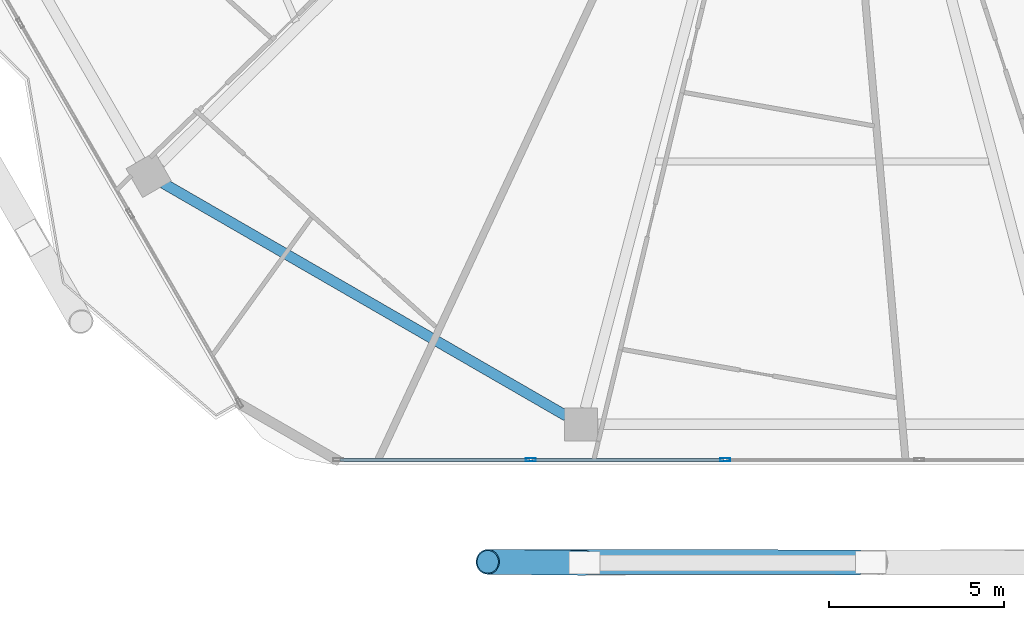
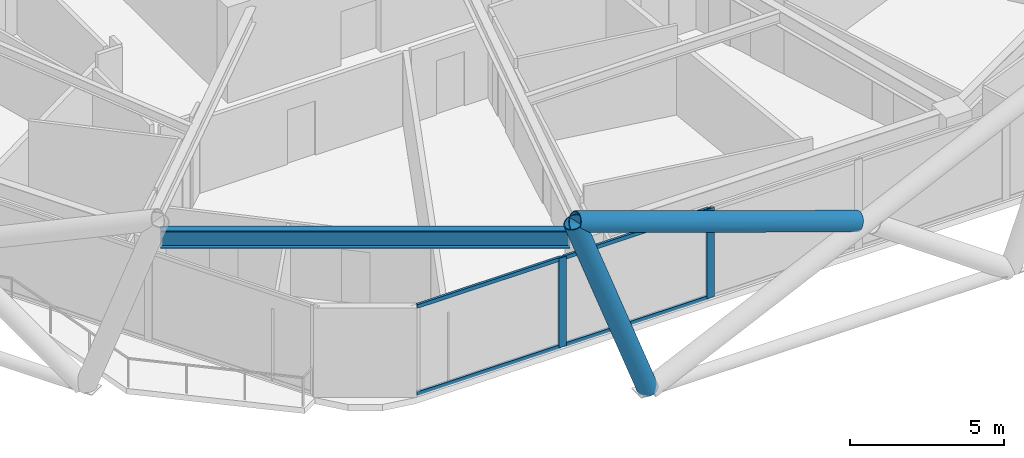
# One storey, part 3 of 27: 8 members, 1 beam, 1 element without a shape of its own.
"""IFC4 building model written with IfcOpenShell, lengths in metres."""

import ifcopenshell
import ifcopenshell.guid

model = None  # the IFC model being written
_history = None  # IfcOwnerHistory: only IFC2X3 demands one
_inside = {}  # id of a spatial element -> (the spatial element, [elements in it])
_under = {}  # id of a project, library or spatial element -> (it, [spatial elements below it])
_declared = {}  # id of a project -> (the project, [libraries it declares])
_typed = {}  # id of a type object -> (the type object, [elements of that type])
_made_of = {}  # id of a material, layer set ... -> (it, [elements and type objects made of it])


def new_model(schema):
    """Start an empty IFC model of exactly this schema.

    Asked for "IFC4X3", IfcOpenShell would pick the latest addendum, in which some entities
    have other attributes; the version numbers below select the first issue.
    IFC2X3 requires an IfcOwnerHistory on every rooted entity: one is made here for all.
    """
    global model, _history
    if schema == "IFC4X3":
        model = ifcopenshell.file(schema_version=(4, 3, 0, 0))
    else:
        model = ifcopenshell.file(schema=schema)
    _inside.clear()
    _under.clear()
    _declared.clear()
    _typed.clear()
    _made_of.clear()
    _history = None
    if model.schema == "IFC2X3":
        org = make("IfcOrganization", Name="unknown")
        user = make(
            "IfcPersonAndOrganization",
            ThePerson=make("IfcPerson", FamilyName="unknown"),
            TheOrganization=org,
        )
        app = make(
            "IfcApplication",
            ApplicationDeveloper=org,
            Version="unknown",
            ApplicationFullName="unknown",
            ApplicationIdentifier="unknown",
        )
        _history = make(
            "IfcOwnerHistory",
            OwningUser=user,
            OwningApplication=app,
            ChangeAction="ADDED",
            CreationDate=0,
        )
    return model


def make(cls, **values):
    """One entity of the class cls with the attributes given. An attribute that is None is left unset."""
    return model.create_entity(
        cls, **{name: value for name, value in values.items() if value is not None}
    )


def rooted(cls, **values):
    """An entity with a GlobalId (a new one), such as an element, a storey or a relation."""
    return make(cls, GlobalId=ifcopenshell.guid.new(), OwnerHistory=_history, **values)


def si_unit(unit_type, name, prefix=None):
    """IfcSIUnit, for example si_unit("LENGTHUNIT", "METRE", prefix="MILLI")."""
    return make("IfcSIUnit", UnitType=unit_type, Prefix=prefix, Name=name)


def assignment(units):
    """IfcUnitAssignment: the units of a project."""
    return None if units is None else make("IfcUnitAssignment", Units=units)


def point(xyz):
    """IfcCartesianPoint."""
    return None if xyz is None else make("IfcCartesianPoint", Coordinates=xyz)


def direction(xyz):
    """IfcDirection."""
    return None if xyz is None else make("IfcDirection", DirectionRatios=xyz)


def frame(location, z_axis=None, x_axis=None):
    """IfcAxis2Placement3D, a coordinate frame: its origin and axes. An axis left out is left unset."""
    return make(
        "IfcAxis2Placement3D",
        Location=point(location),
        Axis=direction(z_axis),
        RefDirection=direction(x_axis),
    )


def frame_2d(location, x_axis=None):
    """IfcAxis2Placement2D, a coordinate frame in the plane: its origin and x axis."""
    return make(
        "IfcAxis2Placement2D", Location=point(location), RefDirection=direction(x_axis)
    )


def origin():
    """The frame at (0, 0, 0) with its axes left unset."""
    return frame((0.0, 0.0, 0.0))


def origin_2d():
    """The frame at (0, 0) in the plane with its x axis left unset."""
    return frame_2d((0.0, 0.0))


def place(relative_to, where):
    """IfcLocalPlacement: puts the frame where relative to a parent placement (None: the world)."""
    return make(
        "IfcLocalPlacement", PlacementRelTo=relative_to, RelativePlacement=where
    )


def context(
    kind, dimensions, precision=None, world=None, true_north=None, identifier=None
):
    """IfcGeometricRepresentationContext, for example the 3D "Model" context."""
    return make(
        "IfcGeometricRepresentationContext",
        ContextIdentifier=identifier,
        ContextType=kind,
        CoordinateSpaceDimension=dimensions,
        Precision=precision,
        WorldCoordinateSystem=world,
        TrueNorth=true_north,
    )


def subcontext(parent, identifier, kind, view, scale=None):
    """IfcGeometricRepresentationSubContext, for example "Body" below "Model"."""
    return make(
        "IfcGeometricRepresentationSubContext",
        ContextIdentifier=identifier,
        ContextType=kind,
        ParentContext=parent,
        TargetScale=scale,
        TargetView=view,
    )


def project(units=None, contexts=None):
    """IfcProject with its units and contexts."""
    return rooted(
        "IfcProject",
        Name="project",
        RepresentationContexts=contexts,
        UnitsInContext=assignment(units),
    )


def spatial(cls, under=None, at=None, **own):
    """A site, building, storey or space (cls), placed at a placement, below another one or the project."""
    s = rooted(cls, ObjectPlacement=at, **own)
    if under is not None:
        _under.setdefault(under.id(), (under, []))[1].append(s)
    return s


def profile(cls, at=None, kind="AREA", **sizes):
    """A parametric profile (cls). Its sizes go by their IFC names, for example OverallWidth=200.0."""
    return make(cls, ProfileType=kind, Position=at, **sizes)


def hollow_rectangle(**sizes):
    """IfcRectangleHollowProfileDef."""
    return profile("IfcRectangleHollowProfileDef", **sizes)


def hollow_circle(**sizes):
    """IfcCircleHollowProfileDef."""
    return profile("IfcCircleHollowProfileDef", **sizes)


def i_section(**sizes):
    """IfcIShapeProfileDef."""
    return profile("IfcIShapeProfileDef", **sizes)


def extrude(swept, where, along, depth):
    """IfcExtrudedAreaSolid: the profile swept, set in the frame where, extruded along a direction by depth."""
    return make(
        "IfcExtrudedAreaSolid",
        SweptArea=swept,
        Position=where,
        ExtrudedDirection=direction(along),
        Depth=depth,
    )


def shape(context_of_items, identifier, shape_type, items):
    """IfcShapeRepresentation: the items that make up one representation, for example the "Body"."""
    return make(
        "IfcShapeRepresentation",
        ContextOfItems=context_of_items,
        RepresentationIdentifier=identifier,
        RepresentationType=shape_type,
        Items=items,
    )


def material(Name=None, Category=None):
    """IfcMaterial."""
    return make("IfcMaterial", Name=Name, Category=Category)


def material_profile(
    of_material, cross_section, Name=None, Category=None, Priority=None
):
    """IfcMaterialProfile: a cross section and its material."""
    return make(
        "IfcMaterialProfile",
        Name=Name,
        Material=of_material,
        Profile=cross_section,
        Priority=Priority,
        Category=Category,
    )


def profile_set(profiles, Name=None, composite=None):
    """IfcMaterialProfileSet."""
    return make(
        "IfcMaterialProfileSet",
        Name=Name,
        MaterialProfiles=profiles,
        CompositeProfile=composite,
    )


def made_of(thing, what):
    """Note that an element or type object is made of a material, layer set ...; save() writes the relation."""
    if what is not None:
        _made_of.setdefault(what.id(), (what, []))[1].append(thing)
    return thing


def type_object(cls, material=None, **own):
    """A type object (cls), such as IfcWallType, which elements share."""
    return made_of(rooted(cls, **own), material)


def element(
    cls,
    number,
    at=None,
    inside=None,
    cuts=None,
    type_object=None,
    material=None,
    context=None,
    identifier="Body",
    shape_type=None,
    held_by="IfcProductDefinitionShape",
    body=None,
    shapes=None,
    **own,
):
    """One element of the class cls, such as IfcWall. Its Tag is "e" and its number.

    at: its placement. inside: the storey or other place that contains it. cuts: it is an
    opening in that element (IfcRelVoidsElement). A single representation is given by context,
    identifier, shape_type and body (its items); several are given by shapes. held_by: the class
    of the entity that holds the representations. save() writes the other relations.
    """
    e = rooted(cls, Tag="e%d" % number, ObjectPlacement=at, **own)
    if body is not None:
        shapes = [shape(context, identifier, shape_type, body)]
    if shapes is not None:
        e.Representation = make(held_by, Representations=shapes)
    if inside is not None:
        _inside.setdefault(inside.id(), (inside, []))[1].append(e)
    if cuts is not None:
        rooted(
            "IfcRelVoidsElement", RelatingBuildingElement=cuts, RelatedOpeningElement=e
        )
    if type_object is not None:
        _typed.setdefault(type_object.id(), (type_object, []))[1].append(e)
    return made_of(e, material)


def aggregate(whole, parts):
    """IfcRelAggregates: a whole, such as a stair, and the parts it consists of."""
    return rooted("IfcRelAggregates", RelatingObject=whole, RelatedObjects=parts)


def save(model, path):
    """Write the relations noted so far, then the file.

    IfcRelAggregates (storeys below a building ...), IfcRelContainedInSpatialStructure (elements
    in a storey), IfcRelDefinesByType, IfcRelAssociatesMaterial and IfcRelDeclares: one each for
    every whole, place, type object, material and project.
    """
    for whole, parts in _under.values():
        aggregate(whole, parts)
    for where, things in _inside.values():
        rooted(
            "IfcRelContainedInSpatialStructure",
            RelatedElements=things,
            RelatingStructure=where,
        )
    for kind, things in _typed.values():
        rooted("IfcRelDefinesByType", RelatedObjects=things, RelatingType=kind)
    for what, things in _made_of.values():
        rooted("IfcRelAssociatesMaterial", RelatedObjects=things, RelatingMaterial=what)
    for by, libraries in _declared.values():
        rooted("IfcRelDeclares", RelatingContext=by, RelatedDefinitions=libraries)
    model.write(path)


model = new_model("IFC4")

# Units and contexts
model_context = context("Model", 3, precision=1e-05, world=origin(), true_north=direction((0.0, 1.0)))
body_context = subcontext(model_context, "Body", "Model", "MODEL_VIEW")
ifc_project = project(units=[si_unit("LENGTHUNIT", "METRE"), si_unit("AREAUNIT", "SQUARE_METRE"), si_unit("VOLUMEUNIT", "CUBIC_METRE"), si_unit("PLANEANGLEUNIT", "RADIAN"), si_unit("MASSUNIT", "GRAM", prefix="KILO")], contexts=[model_context])

# Site, building, storey
site_placement = place(None, origin())
site = spatial("IfcSite", under=ifc_project, at=site_placement, CompositionType="ELEMENT")
building_placement = place(site_placement, origin())
building = spatial("IfcBuilding", under=site, at=building_placement, Name="Zuhravey Tower", CompositionType="ELEMENT")
storey_placement = place(building_placement, frame((0.0, 0.0, 215.0)))
storey = spatial("IfcBuildingStorey", under=building, at=storey_placement, Name="L54", CompositionType="ELEMENT", Elevation=215.0)

# Curtain wall, members
ifc_material_1 = material(Name="Thermally broken anodised aluminium", Category="aluminium")
curtain_wall_type = type_object("IfcCurtainWallType", Name="Zone 1-2 Residential Curtain Wall CW3", PredefinedType="NOTDEFINED", material=ifc_material_1)
curtain_wall_placement = place(storey_placement, origin())
curtain_wall = element("IfcCurtainWall", 1, at=curtain_wall_placement, inside=storey, type_object=curtain_wall_type, Name="L54 CW3 CW-L54-F5-1", PredefinedType="NOTDEFINED")
ifc_material_2 = material(Name="Anodised aluminium", Category="aluminium")
ifc_material_profile_1 = material_profile(ifc_material_2, hollow_rectangle(XDim=0.090087890625, YDim=0.284912109375, WallThickness=0.0048828125, at=origin_2d()), Name="ALU-RHS-90x285x5")
ifc_profile_set_1 = profile_set([ifc_material_profile_1], Name="Anodised aluminium")
member_type_1 = type_object("IfcMemberType", Name="Curtain-Wall Mullion 90x180", PredefinedType="MULLION", material=ifc_profile_set_1)
member_1_placement = place(storey_placement, frame((33.227783203125, 4.81689453125, 0.0), z_axis=(0.0, 0.0, 1.0), x_axis=(0.0, -1.0, 0.0)))
member_1 = element("IfcMember", 2, at=member_1_placement, type_object=member_type_1, Name="CW3 mullion 4", PredefinedType="MULLION", context=body_context, shape_type="SweptSolid", body=[
    extrude(hollow_rectangle(XDim=0.090087890625, YDim=0.284912109375, WallThickness=0.0048828125, at=origin_2d()), origin(), (0.0, 0.0, 1.0), 3.550048828125),
])
member_2_placement = place(storey_placement, frame((27.683349609375, 4.81689453125, 0.0), z_axis=(0.0, 0.0, 1.0), x_axis=(0.0, -1.0, 0.0)))
member_2 = element("IfcMember", 3, at=member_2_placement, type_object=member_type_1, Name="CW3 mullion 5", PredefinedType="MULLION", context=body_context, shape_type="SweptSolid", body=[
    extrude(hollow_rectangle(XDim=0.090087890625, YDim=0.284912109375, WallThickness=0.0048828125, at=origin_2d()), origin(), (0.0, 0.0, 1.0), 3.550048828125),
])
ifc_material_profile_2 = material_profile(ifc_material_2, hollow_rectangle(XDim=0.090087890625, YDim=0.14990234375, WallThickness=0.0048828125, at=origin_2d()), Name="ALU-RHS-90x150x5")
ifc_profile_set_2 = profile_set([ifc_material_profile_2], Name="Anodised aluminium")
member_type_2 = type_object("IfcMemberType", Name="Curtain-Wall Transom 90x150", PredefinedType="USERDEFINED", material=ifc_profile_set_2)
member_3_placement = place(storey_placement, frame((33.182861328125, 4.81689453125, 0.044921875), z_axis=(-1.0, 0.0, 0.0), x_axis=(0.0, -1.0, 0.0)))
member_3 = element("IfcMember", 4, at=member_3_placement, type_object=member_type_2, Name="CW3 transom 4.1", ObjectType="TRANSOM", PredefinedType="USERDEFINED", context=body_context, shape_type="SweptSolid", body=[
    extrude(hollow_rectangle(XDim=0.090087890625, YDim=0.14990234375, WallThickness=0.0048828125, at=origin_2d()), origin(), (0.0, 0.0, 1.0), 5.45458984375),
])
member_4_placement = place(storey_placement, frame((33.182861328125, 4.81689453125, 3.5048828125), z_axis=(-1.0, 0.0, 0.0), x_axis=(0.0, -1.0, 0.0)))
member_4 = element("IfcMember", 5, at=member_4_placement, type_object=member_type_2, Name="CW3 transom 4.2", ObjectType="TRANSOM", PredefinedType="USERDEFINED", context=body_context, shape_type="SweptSolid", body=[
    extrude(hollow_rectangle(XDim=0.090087890625, YDim=0.14990234375, WallThickness=0.0048828125, at=origin_2d()), origin(), (0.0, 0.0, 1.0), 5.45458984375),
])
member_5_placement = place(storey_placement, frame((27.638427734375, 4.81689453125, 0.044921875), z_axis=(-1.0, 0.0, 0.0), x_axis=(0.0, -1.0, 0.0)))
member_5 = element("IfcMember", 6, at=member_5_placement, type_object=member_type_2, Name="CW3 transom 5.1", ObjectType="TRANSOM", PredefinedType="USERDEFINED", context=body_context, shape_type="SweptSolid", body=[
    extrude(hollow_rectangle(XDim=0.090087890625, YDim=0.14990234375, WallThickness=0.0048828125, at=origin_2d()), origin(), (0.0, 0.0, 1.0), 5.409423828125),
])
member_6_placement = place(storey_placement, frame((27.638427734375, 4.81689453125, 3.5048828125), z_axis=(-1.0, 0.0, 0.0), x_axis=(0.0, -1.0, 0.0)))
member_6 = element("IfcMember", 7, at=member_6_placement, type_object=member_type_2, Name="CW3 transom 5.2", ObjectType="TRANSOM", PredefinedType="USERDEFINED", context=body_context, shape_type="SweptSolid", body=[
    extrude(hollow_rectangle(XDim=0.090087890625, YDim=0.14990234375, WallThickness=0.0048828125, at=origin_2d()), origin(), (0.0, 0.0, 1.0), 5.409423828125),
])
aggregate(curtain_wall, [member_1, member_2, member_3, member_4, member_5, member_6])

# Members
ifc_material_3 = material(Name="Steel SM460", Category="steel")
ifc_material_profile_3 = material_profile(ifc_material_3, hollow_circle(Radius=0.355712890625, WallThickness=0.031982421875, at=origin_2d()), Name="CHS-711.2x32")
ifc_profile_set_3 = profile_set([ifc_material_profile_3], Name="Steel SM460")
member_type_3 = type_object("IfcMemberType", Name="Exoskeleton Zone 2 Diagrid CHS711x32", PredefinedType="BRACE", material=ifc_profile_set_3)
member_7_placement = place(storey_placement, frame((29.211669921875, 1.876953125, -0.444091796875), z_axis=(-0.342856044852, 0.003700976595, 0.939380665801), x_axis=(-0.010793920789, -0.99994174394, 0.0)))
element("IfcMember", 8, at=member_7_placement, inside=storey, type_object=member_type_3, Name="L54 Face 5 Diagrid Brace 1", PredefinedType="BRACE", context=body_context, shape_type="SweptSolid", body=[
    extrude(hollow_circle(Radius=0.355712890625, WallThickness=0.031982421875, at=origin_2d()), origin(), (0.0, 0.0, 1.0), 8.0478515625),
])
member_8_placement = place(storey_placement, frame((37.060546875, 1.892333984375, 3.449462890625), z_axis=(-0.944659547596, 0.001287239903, 0.328049816566), x_axis=(-0.00136264828, -0.999999071594, 0.0)))
element("IfcMember", 9, at=member_8_placement, inside=storey, type_object=member_type_3, Name="L54 Face 5 Split Diagrid Brace 3B", PredefinedType="BRACE", context=body_context, shape_type="SweptSolid", body=[
    extrude(hollow_circle(Radius=0.355712890625, WallThickness=0.031982421875, at=origin_2d()), origin(), (0.0, 0.0, 1.0), 11.190185546875),
])

# Beam
ifc_material_4 = material(Name="Steel SM355", Category="steel")
ifc_material_profile_4 = material_profile(ifc_material_4, i_section(OverallWidth=0.300048828125, OverallDepth=0.679931640625, WebThickness=0.012939453125, FlangeThickness=0.02197265625, at=origin_2d()), Name="H-680x300x13x22")
ifc_profile_set_4 = profile_set([ifc_material_profile_4], Name="Steel SM355")
beam_type = type_object("IfcBeamType", Name="Perimeter Ring Beam H680x300", PredefinedType="BEAM", material=ifc_profile_set_4)
beam_placement = place(storey_placement, frame((17.1884765625, 12.71435546875, 3.2099609375), z_axis=(0.866029041019, -0.499993700073, 0.0), x_axis=(0.499993700073, 0.866029041019, 0.0)))
element("IfcBeam", 10, at=beam_placement, inside=storey, type_object=beam_type, Name="L54 PB2 BM-L54-PB-08", PredefinedType="BEAM", context=body_context, shape_type="SweptSolid", body=[
    extrude(i_section(OverallWidth=0.300048828125, OverallDepth=0.679931640625, WebThickness=0.012939453125, FlangeThickness=0.02197265625, at=origin_2d()), origin(), (0.0, 0.0, 1.0), 13.297119140625),
])

save(model, "model.ifc")
